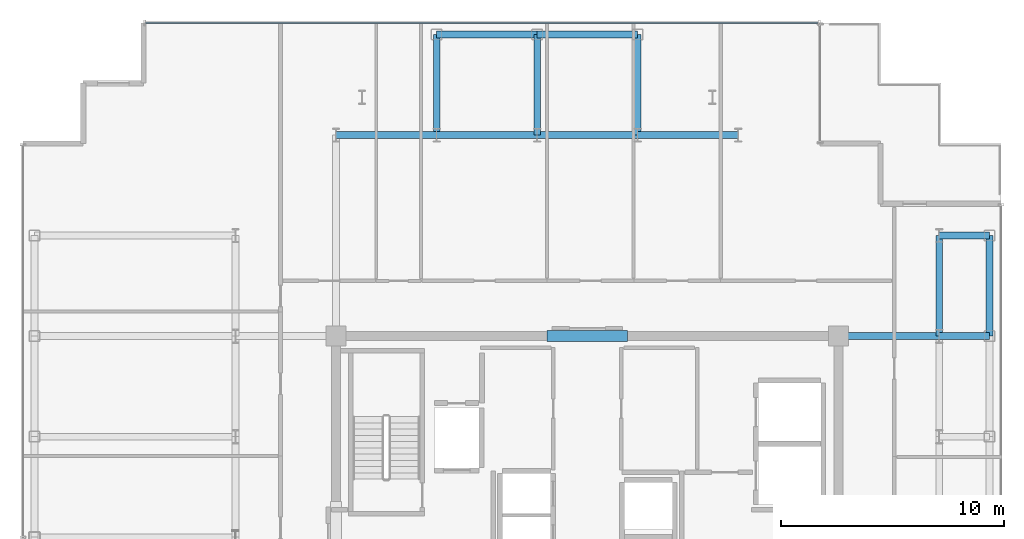
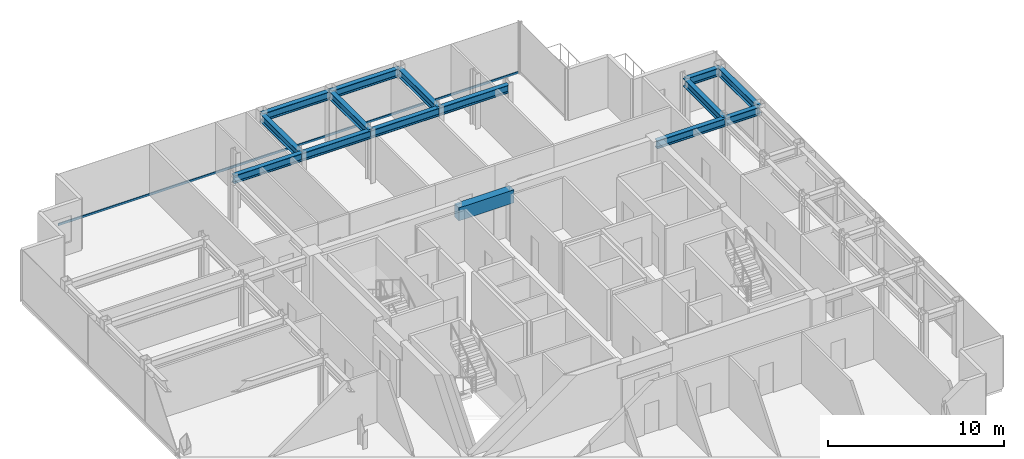
# One storey, part 9 of 17: 15 beams, 1 member, 1 element without a shape of its own.
"""IFC4 building model written with IfcOpenShell, lengths in metres."""

from ifc_helpers import new_model, si_unit, direction, frame, origin, origin_2d, place, context, subcontext, project, spatial, rectangle, hollow_rectangle, i_section, extrude, source, transform, mapped, material, layer, layer_set, material_profile, profile_set, type_object, element, aggregate, save


model = new_model("IFC4")

# Units and contexts
model_context = context("Model", 3, precision=1e-05, world=origin(), true_north=direction((0.0, 1.0)))
body_context = subcontext(model_context, "Body", "Model", "MODEL_VIEW")
ifc_project = project(units=[si_unit("LENGTHUNIT", "METRE"), si_unit("AREAUNIT", "SQUARE_METRE"), si_unit("VOLUMEUNIT", "CUBIC_METRE"), si_unit("PLANEANGLEUNIT", "RADIAN"), si_unit("MASSUNIT", "GRAM", prefix="KILO")], contexts=[model_context])

# Site, building, storey
site_placement = place(None, origin())
site = spatial("IfcSite", under=ifc_project, at=site_placement, CompositionType="ELEMENT")
building_placement = place(site_placement, origin())
building = spatial("IfcBuilding", under=site, at=building_placement, Name="Nefas-Gora Pilgrimage Tower", CompositionType="ELEMENT")
storey_placement = place(building_placement, frame((0.0, 0.0, 337.60009765625)))
storey = spatial("IfcBuildingStorey", under=building, at=storey_placement, Name="L85", CompositionType="ELEMENT", Elevation=337.60009765625)

# Beams
ifc_material_1 = material(Name="Concrete C50/60", Category="concrete")
ifc_material_profile_1 = material_profile(ifc_material_1, rectangle(XDim=0.5, YDim=0.89990234375, at=origin_2d()), Name="RC 500x900")
ifc_profile_set_1 = profile_set([ifc_material_profile_1], Name="Concrete C50/60")
beam_type_1 = type_object("IfcBeamType", Name="BM-LIN-RC900", PredefinedType="LINTEL", material=ifc_profile_set_1)
shared_shape_1 = source(origin(), body_context, "Body", "SweptSolid", [
    extrude(rectangle(XDim=0.5, YDim=0.89990234375, at=origin_2d()), origin(), (0.0, 0.0, 1.0), 3.60009765625),
])
beam_placement = place(storey_placement, frame((-1.800048828125, 9.0, 3.099853515625), z_axis=(1.0, 0.0, 0.0), x_axis=(0.0, 1.0, 0.0)))
element("IfcBeam", 1, at=beam_placement, inside=storey, type_object=beam_type_1, Name="L85 Core Coupling Lintel Beam N", PredefinedType="LINTEL", context=body_context, shape_type="MappedRepresentation", body=[
    mapped(shared_shape_1, transform((0.0, 0.0, 0.0), x_axis=(1.0, 0.0, 0.0), y_axis=(0.0, 1.0, 0.0), z_axis=(0.0, 0.0, 1.0), scale=1.0)),
])
ifc_material_2 = material(Name="Steel S355", Category="steel")
ifc_material_profile_2 = material_profile(ifc_material_2, i_section(OverallWidth=0.300048828125, OverallDepth=0.550048828125, WebThickness=0.014892578125, FlangeThickness=0.029052734375, FilletRadius=0.027099609375, at=origin_2d()), Name="HEB 550")
ifc_profile_set_2 = profile_set([ifc_material_profile_2], Name="Steel S355")
beam_type_2 = type_object("IfcBeamType", Name="BM-SPN-HEB400", PredefinedType="SPANDREL", material=ifc_profile_set_2)
shared_shape_2 = source(origin(), body_context, "Body", "SweptSolid", [
    extrude(i_section(OverallWidth=0.300048828125, OverallDepth=0.550048828125, WebThickness=0.014892578125, FlangeThickness=0.029052734375, FilletRadius=0.027099609375, at=origin_2d()), origin(), (0.0, 0.0, 1.0), 4.5),
])
for number, where, z_axis, x_axis, name in (
    (2, (-6.75, 22.5, 3.27490234375), (1.0, 0.0, 0.0), (0.0, 1.0, 0.0), "L85 SP-04 beam"),
    (3, (-2.25, 22.5, 3.27490234375), (1.0, 0.0, 0.0), (0.0, 1.0, 0.0), "L85 SP-04 beam"),
    (4, (18.0, 9.0, 3.27490234375), (0.0, 1.0, 0.0), (-1.0, 0.0, 0.0), "L85 SP-04 beam"),
):
    element("IfcBeam", number, at=place(storey_placement, frame(where, z_axis=z_axis, x_axis=x_axis)), inside=storey, type_object=beam_type_2, Name=name, PredefinedType="SPANDREL", context=body_context, shape_type="MappedRepresentation", body=[
        mapped(shared_shape_2, transform((0.0, 0.0, 0.0), x_axis=(1.0, 0.0, 0.0), y_axis=(0.0, 1.0, 0.0), z_axis=(0.0, 0.0, 1.0), scale=1.0)),
    ])
ifc_material_profile_3 = material_profile(ifc_material_2, i_section(OverallWidth=0.300048828125, OverallDepth=0.550048828125, WebThickness=0.014892578125, FlangeThickness=0.029052734375, FilletRadius=0.027099609375, at=origin_2d()), Name="HEB 550")
ifc_profile_set_3 = profile_set([ifc_material_profile_3], Name="Steel S355")
beam_type_3 = type_object("IfcBeamType", Name="BM-GIR-HEB550", PredefinedType="BEAM", material=ifc_profile_set_3)
shared_shape_3 = source(origin(), body_context, "Body", "SweptSolid", [
    extrude(i_section(OverallWidth=0.300048828125, OverallDepth=0.550048828125, WebThickness=0.014892578125, FlangeThickness=0.029052734375, FilletRadius=0.027099609375, at=origin_2d()), origin(), (0.0, 0.0, 1.0), 4.5),
])
for number, where, z_axis, x_axis, name in (
    (5, (-11.25, 18.0, 3.27490234375), (1.0, 0.0, 0.0), (0.0, 1.0, 0.0), "L85 G-05 beam"),
    (6, (-6.75, 18.0, 3.27490234375), (0.0, 1.0, 0.0), (-1.0, 0.0, 0.0), "L85 G-05 beam"),
    (7, (-6.75, 18.0, 3.27490234375), (1.0, 0.0, 0.0), (0.0, 1.0, 0.0), "L85 G-05 beam"),
    (8, (-2.25, 18.0, 3.27490234375), (0.0, 1.0, 0.0), (-1.0, 0.0, 0.0), "L85 G-05 beam"),
    (9, (-2.25, 18.0, 3.27490234375), (1.0, 0.0, 0.0), (0.0, 1.0, 0.0), "L85 G-05 beam"),
    (10, (2.25, 18.0, 3.27490234375), (0.0, 1.0, 0.0), (-1.0, 0.0, 0.0), "L85 G-05 beam"),
    (11, (2.25, 18.0, 3.27490234375), (1.0, 0.0, 0.0), (0.0, 1.0, 0.0), "L85 G-05 beam"),
    (12, (11.25, 9.0, 3.27490234375), (1.0, 0.0, 0.0), (0.0, 1.0, 0.0), "L85 G-05 beam"),
    (13, (15.75, 9.0, 3.27490234375), (0.0, 1.0, 0.0), (-1.0, 0.0, 0.0), "L85 G-05 beam"),
):
    element("IfcBeam", number, at=place(storey_placement, frame(where, z_axis=z_axis, x_axis=x_axis)), inside=storey, type_object=beam_type_3, Name=name, PredefinedType="BEAM", context=body_context, shape_type="MappedRepresentation", body=[
        mapped(shared_shape_3, transform((0.0, 0.0, 0.0), x_axis=(1.0, 0.0, 0.0), y_axis=(0.0, 1.0, 0.0), z_axis=(0.0, 0.0, 1.0), scale=1.0)),
    ])
shared_shape_4 = source(origin(), body_context, "Body", "SweptSolid", [
    extrude(i_section(OverallWidth=0.300048828125, OverallDepth=0.550048828125, WebThickness=0.014892578125, FlangeThickness=0.029052734375, FilletRadius=0.027099609375, at=origin_2d()), origin(), (0.0, 0.0, 1.0), 2.25),
])
for number, where, z_axis, x_axis, name in (
    (14, (15.75, 9.0, 3.27490234375), (1.0, 0.0, 0.0), (0.0, 1.0, 0.0), "L85 G-05 beam"),
    (15, (15.75, 13.5, 3.27490234375), (1.0, 0.0, 0.0), (0.0, 1.0, 0.0), "L85 G-05 beam"),
):
    element("IfcBeam", number, at=place(storey_placement, frame(where, z_axis=z_axis, x_axis=x_axis)), inside=storey, type_object=beam_type_3, Name=name, PredefinedType="BEAM", context=body_context, shape_type="MappedRepresentation", body=[
        mapped(shared_shape_4, transform((0.0, 0.0, 0.0), x_axis=(1.0, 0.0, 0.0), y_axis=(0.0, 1.0, 0.0), z_axis=(0.0, 0.0, 1.0), scale=1.0)),
    ])

# Curtain wall, member
ifc_material_3 = material(Name="Dark ceramic-fritted solar-control aluminium-glass curtain wall", Category="aluminium")
ifc_layer = layer(ifc_material_3, 0.219970703125)
ifc_layer_set = layer_set([ifc_layer], Name="Dark ceramic-fritted solar-control aluminium-glass curtain wall")
curtain_wall_type = type_object("IfcCurtainWallType", Name="CW-SYS-4", PredefinedType="NOTDEFINED", material=ifc_layer_set)
curtain_wall_placement = place(storey_placement, origin())
curtain_wall = element("IfcCurtainWall", 16, at=curtain_wall_placement, inside=storey, type_object=curtain_wall_type, Name="L85 Unitised Curtain Wall CW4", PredefinedType="NOTDEFINED")
ifc_material_4 = material(Name="Anodised architectural aluminium", Category="aluminium")
ifc_material_profile_4 = material_profile(ifc_material_4, hollow_rectangle(XDim=0.080078125, YDim=0.159912109375, WallThickness=0.00439453125, InnerFilletRadius=0.00439453125, OuterFilletRadius=0.009033203125, at=origin_2d()), Name="ALU TRANSOM 80x160")
ifc_profile_set_4 = profile_set([ifc_material_profile_4], Name="Anodised architectural aluminium")
member_type = type_object("IfcMemberType", Name="CWM-TRN-4", PredefinedType="USERDEFINED", material=ifc_profile_set_4)
shared_shape_5 = source(origin(), body_context, "Body", "SweptSolid", [
    extrude(hollow_rectangle(XDim=0.080078125, YDim=0.159912109375, WallThickness=0.00439453125, InnerFilletRadius=0.00439453125, OuterFilletRadius=0.009033203125, at=origin_2d()), origin(), (0.0, 0.0, 1.0), 30.110107421875),
])
member_placement = place(storey_placement, frame((10.330078125, 23.02001953125, 0.0498046875), z_axis=(-1.0, 0.0, 0.0), x_axis=(0.0, -1.0, 0.0)))
member = element("IfcMember", 17, at=member_placement, type_object=member_type, Name="CW4 Spandrel Transom", ObjectType="TRANSOM", PredefinedType="USERDEFINED", context=body_context, shape_type="MappedRepresentation", body=[
    mapped(shared_shape_5, transform((0.0, 0.0, 0.0), x_axis=(1.0, 0.0, 0.0), y_axis=(0.0, 1.0, 0.0), z_axis=(0.0, 0.0, 1.0), scale=1.0)),
])
aggregate(curtain_wall, [member])

save(model, "model.ifc")
